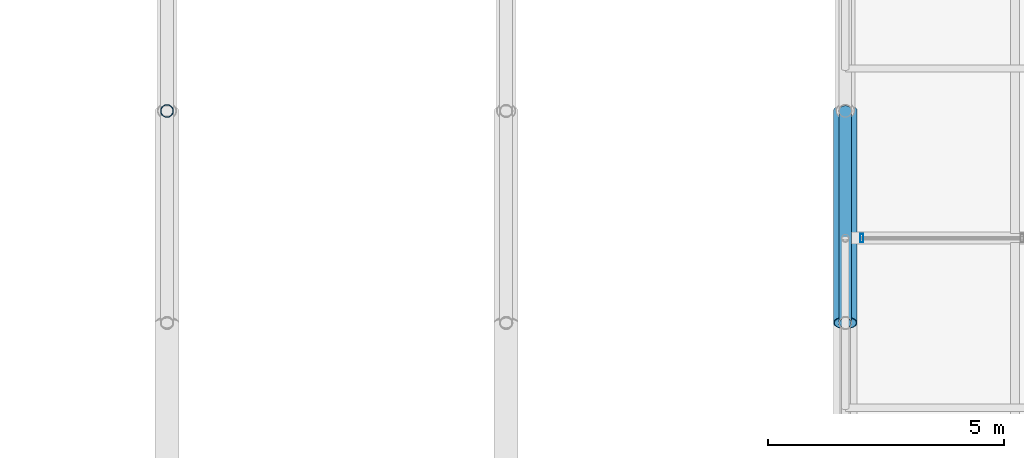
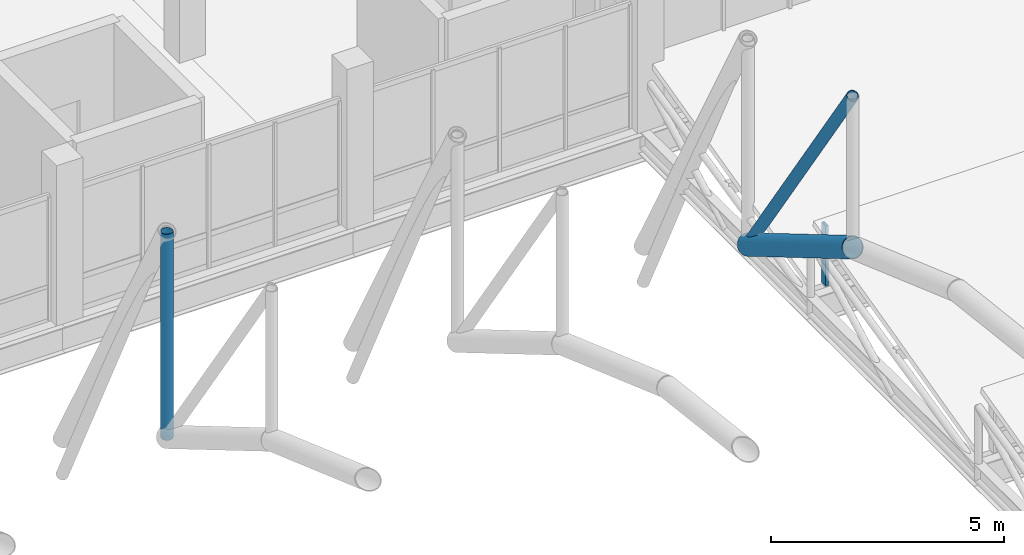
# One storey, part 44 of 144: 4 members, 1 element without a shape of its own.
"""IFC4 building model written with IfcOpenShell, lengths in metres."""

from ifc_helpers import new_model, si_unit, direction, frame, origin, origin_2d, place, context, subcontext, project, spatial, hollow_rectangle, hollow_circle, extrude, material, material_profile, profile_set, type_object, element, aggregate, save


model = new_model("IFC4")

# Units and contexts
model_context = context("Model", 3, precision=1e-05, world=origin(), true_north=direction((0.0, 1.0)))
body_context = subcontext(model_context, "Body", "Model", "MODEL_VIEW")
ifc_project = project(units=[si_unit("LENGTHUNIT", "METRE"), si_unit("AREAUNIT", "SQUARE_METRE"), si_unit("VOLUMEUNIT", "CUBIC_METRE"), si_unit("PLANEANGLEUNIT", "RADIAN"), si_unit("MASSUNIT", "GRAM", prefix="KILO")], contexts=[model_context])

# Site, building, storey
site_placement = place(None, origin())
site = spatial("IfcSite", under=ifc_project, at=site_placement, CompositionType="ELEMENT")
building_placement = place(site_placement, origin())
building = spatial("IfcBuilding", under=site, at=building_placement, Name="Yarey Park Central Fire Station", CompositionType="ELEMENT")
storey_placement = place(building_placement, frame((0.0, 0.0, 10.199951171875)))
storey = spatial("IfcBuildingStorey", under=building, at=storey_placement, Name="L03", CompositionType="ELEMENT", Elevation=10.199951171875)

# Curtain wall, member
ifc_material_1 = material(Name="Anodized Aluminium Frame", Category="aluminium")
curtain_wall_type = type_object("IfcCurtainWallType", Name="ENV_CW_SAW_18", PredefinedType="NOTDEFINED", material=ifc_material_1)
curtain_wall_placement = place(storey_placement, origin())
curtain_wall = element("IfcCurtainWall", 1, at=curtain_wall_placement, inside=storey, type_object=curtain_wall_type, Name="CW_L03_SAW_6_1", PredefinedType="NOTDEFINED")
ifc_material_profile_1 = material_profile(ifc_material_1, hollow_rectangle(XDim=0.070068359375, YDim=0.179931640625, WallThickness=0.00390625, at=origin_2d()), Name="ALU 180x70x4")
ifc_profile_set_1 = profile_set([ifc_material_profile_1], Name="Anodized Aluminium Frame")
member_type_1 = type_object("IfcMemberType", Name="ENV_CW_MULLION", PredefinedType="MULLION", material=ifc_profile_set_1)
member_1_placement = place(storey_placement, frame((137.14990234375, 86.39990234375, 0.0), z_axis=(0.0, 0.0, 1.0), x_axis=(1.0, 0.0, 0.0)))
member_1 = element("IfcMember", 2, at=member_1_placement, type_object=member_type_1, Name="CW_L03_SAW_6_1_MUL5", PredefinedType="MULLION", context=body_context, shape_type="SweptSolid", body=[
    extrude(hollow_rectangle(XDim=0.070068359375, YDim=0.179931640625, WallThickness=0.00390625, at=origin_2d()), origin(), (0.0, 0.0, 1.0), 1.580078125),
])
aggregate(curtain_wall, [member_1])

# Members
ifc_material_2 = material(Name="Steel ASTM A500 Gr. C", Category="steel")
ifc_material_profile_2 = material_profile(ifc_material_2, hollow_circle(Radius=0.25390625, WallThickness=0.02001953125, at=origin_2d()), Name="CHS 508x20")
ifc_profile_set_2 = profile_set([ifc_material_profile_2], Name="Steel ASTM A500 Gr. C")
member_type_2 = type_object("IfcMemberType", Name="STR_CHORD_CHS508", PredefinedType="CHORD", material=ifc_profile_set_2)
member_2_placement = place(storey_placement, frame((136.800048828125, 84.60009765625, 2.175048828125), z_axis=(0.0, 0.8611645473, -0.508326295281), x_axis=(-1.0, 0.0, 0.0)))
element("IfcMember", 3, at=member_2_placement, inside=storey, type_object=member_type_2, Name="Arched Roof Truss ART_12 Bottom Chord 7", PredefinedType="CHORD", context=body_context, shape_type="SweptSolid", body=[
    extrude(hollow_circle(Radius=0.25390625, WallThickness=0.02001953125, at=origin_2d()), origin(), (0.0, 0.0, 1.0), 5.2255859375),
])
ifc_material_profile_3 = material_profile(ifc_material_2, hollow_circle(Radius=0.136474609375, WallThickness=0.012451171875, at=origin_2d()), Name="CHS 273x12.5")
ifc_profile_set_3 = profile_set([ifc_material_profile_3], Name="Steel ASTM A500 Gr. C")
member_type_3 = type_object("IfcMemberType", Name="STR_WEB_CHS273", PredefinedType="BRACE", material=ifc_profile_set_3)
member_3_placement = place(storey_placement, frame((122.39990234375, 89.10009765625, -0.481201171875), z_axis=(0.0, 0.0, 1.0), x_axis=(1.0, 0.0, 0.0)))
element("IfcMember", 4, at=member_3_placement, inside=storey, type_object=member_type_3, Name="Arched Roof Truss ART_10 Vertical 8", PredefinedType="BRACE", context=body_context, shape_type="SweptSolid", body=[
    extrude(hollow_circle(Radius=0.136474609375, WallThickness=0.012451171875, at=origin_2d()), origin(), (0.0, 0.0, 1.0), 5.398681640625),
])
member_4_placement = place(storey_placement, frame((136.800048828125, 84.60009765625, 6.14013671875), z_axis=(0.0, 0.562095632178, -0.82707224611), x_axis=(-1.0, 0.0, 0.0)))
element("IfcMember", 5, at=member_4_placement, inside=storey, type_object=member_type_3, Name="Arched Roof Truss ART_12 Diagonal 7", PredefinedType="BRACE", context=body_context, shape_type="SweptSolid", body=[
    extrude(hollow_circle(Radius=0.136474609375, WallThickness=0.012451171875, at=origin_2d()), origin(), (0.0, 0.0, 1.0), 8.005859375),
])

save(model, "model.ifc")
